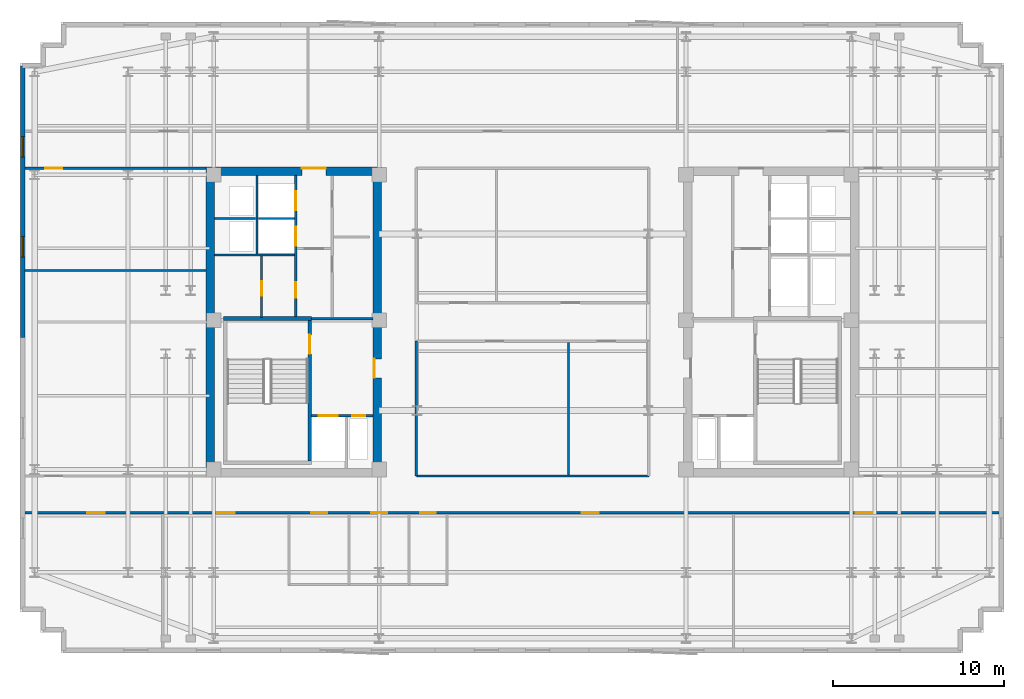
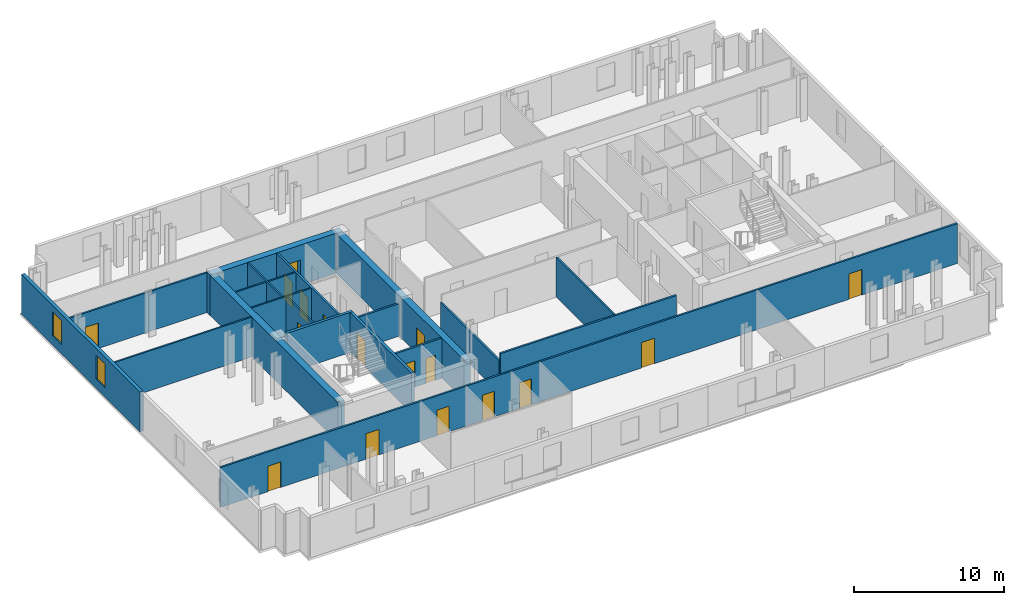
# One storey, part 4 of 9: 20 walls, 17 doors, 2 windows, 19 openings.
"""IFC4 building model written with IfcOpenShell, lengths in metres."""

import ifcopenshell
import ifcopenshell.guid

model = None  # the IFC model being written
_history = None  # IfcOwnerHistory: only IFC2X3 demands one
_inside = {}  # id of a spatial element -> (the spatial element, [elements in it])
_under = {}  # id of a project, library or spatial element -> (it, [spatial elements below it])
_declared = {}  # id of a project -> (the project, [libraries it declares])
_typed = {}  # id of a type object -> (the type object, [elements of that type])
_made_of = {}  # id of a material, layer set ... -> (it, [elements and type objects made of it])


def new_model(schema):
    """Start an empty IFC model of exactly this schema.

    Asked for "IFC4X3", IfcOpenShell would pick the latest addendum, in which some entities
    have other attributes; the version numbers below select the first issue.
    IFC2X3 requires an IfcOwnerHistory on every rooted entity: one is made here for all.
    """
    global model, _history
    if schema == "IFC4X3":
        model = ifcopenshell.file(schema_version=(4, 3, 0, 0))
    else:
        model = ifcopenshell.file(schema=schema)
    _inside.clear()
    _under.clear()
    _declared.clear()
    _typed.clear()
    _made_of.clear()
    _history = None
    if model.schema == "IFC2X3":
        org = make("IfcOrganization", Name="unknown")
        user = make(
            "IfcPersonAndOrganization",
            ThePerson=make("IfcPerson", FamilyName="unknown"),
            TheOrganization=org,
        )
        app = make(
            "IfcApplication",
            ApplicationDeveloper=org,
            Version="unknown",
            ApplicationFullName="unknown",
            ApplicationIdentifier="unknown",
        )
        _history = make(
            "IfcOwnerHistory",
            OwningUser=user,
            OwningApplication=app,
            ChangeAction="ADDED",
            CreationDate=0,
        )
    return model


def make(cls, **values):
    """One entity of the class cls with the attributes given. An attribute that is None is left unset."""
    return model.create_entity(
        cls, **{name: value for name, value in values.items() if value is not None}
    )


def rooted(cls, **values):
    """An entity with a GlobalId (a new one), such as an element, a storey or a relation."""
    return make(cls, GlobalId=ifcopenshell.guid.new(), OwnerHistory=_history, **values)


def si_unit(unit_type, name, prefix=None):
    """IfcSIUnit, for example si_unit("LENGTHUNIT", "METRE", prefix="MILLI")."""
    return make("IfcSIUnit", UnitType=unit_type, Prefix=prefix, Name=name)


def assignment(units):
    """IfcUnitAssignment: the units of a project."""
    return None if units is None else make("IfcUnitAssignment", Units=units)


def point(xyz):
    """IfcCartesianPoint."""
    return None if xyz is None else make("IfcCartesianPoint", Coordinates=xyz)


def direction(xyz):
    """IfcDirection."""
    return None if xyz is None else make("IfcDirection", DirectionRatios=xyz)


def frame(location, z_axis=None, x_axis=None):
    """IfcAxis2Placement3D, a coordinate frame: its origin and axes. An axis left out is left unset."""
    return make(
        "IfcAxis2Placement3D",
        Location=point(location),
        Axis=direction(z_axis),
        RefDirection=direction(x_axis),
    )


def frame_2d(location, x_axis=None):
    """IfcAxis2Placement2D, a coordinate frame in the plane: its origin and x axis."""
    return make(
        "IfcAxis2Placement2D", Location=point(location), RefDirection=direction(x_axis)
    )


def origin():
    """The frame at (0, 0, 0) with its axes left unset."""
    return frame((0.0, 0.0, 0.0))


def place(relative_to, where):
    """IfcLocalPlacement: puts the frame where relative to a parent placement (None: the world)."""
    return make(
        "IfcLocalPlacement", PlacementRelTo=relative_to, RelativePlacement=where
    )


def context(
    kind, dimensions, precision=None, world=None, true_north=None, identifier=None
):
    """IfcGeometricRepresentationContext, for example the 3D "Model" context."""
    return make(
        "IfcGeometricRepresentationContext",
        ContextIdentifier=identifier,
        ContextType=kind,
        CoordinateSpaceDimension=dimensions,
        Precision=precision,
        WorldCoordinateSystem=world,
        TrueNorth=true_north,
    )


def subcontext(parent, identifier, kind, view, scale=None):
    """IfcGeometricRepresentationSubContext, for example "Body" below "Model"."""
    return make(
        "IfcGeometricRepresentationSubContext",
        ContextIdentifier=identifier,
        ContextType=kind,
        ParentContext=parent,
        TargetScale=scale,
        TargetView=view,
    )


def project(units=None, contexts=None):
    """IfcProject with its units and contexts."""
    return rooted(
        "IfcProject",
        Name="project",
        RepresentationContexts=contexts,
        UnitsInContext=assignment(units),
    )


def spatial(cls, under=None, at=None, **own):
    """A site, building, storey or space (cls), placed at a placement, below another one or the project."""
    s = rooted(cls, ObjectPlacement=at, **own)
    if under is not None:
        _under.setdefault(under.id(), (under, []))[1].append(s)
    return s


def profile(cls, at=None, kind="AREA", **sizes):
    """A parametric profile (cls). Its sizes go by their IFC names, for example OverallWidth=200.0."""
    return make(cls, ProfileType=kind, Position=at, **sizes)


def rectangle(**sizes):
    """IfcRectangleProfileDef."""
    return profile("IfcRectangleProfileDef", **sizes)


def extrude(swept, where, along, depth):
    """IfcExtrudedAreaSolid: the profile swept, set in the frame where, extruded along a direction by depth."""
    return make(
        "IfcExtrudedAreaSolid",
        SweptArea=swept,
        Position=where,
        ExtrudedDirection=direction(along),
        Depth=depth,
    )


def shape(context_of_items, identifier, shape_type, items):
    """IfcShapeRepresentation: the items that make up one representation, for example the "Body"."""
    return make(
        "IfcShapeRepresentation",
        ContextOfItems=context_of_items,
        RepresentationIdentifier=identifier,
        RepresentationType=shape_type,
        Items=items,
    )


def material(Name=None, Category=None):
    """IfcMaterial."""
    return make("IfcMaterial", Name=Name, Category=Category)


def layer(
    of_material, thickness, ventilated=None, Name=None, Category=None, Priority=None
):
    """IfcMaterialLayer: one layer of a wall or slab, of a material (None: an air gap)."""
    return make(
        "IfcMaterialLayer",
        Material=of_material,
        LayerThickness=thickness,
        IsVentilated=ventilated,
        Name=Name,
        Category=Category,
        Priority=Priority,
    )


def layer_set(layers, Name=None):
    """IfcMaterialLayerSet."""
    return make("IfcMaterialLayerSet", MaterialLayers=layers, LayerSetName=Name)


def made_of(thing, what):
    """Note that an element or type object is made of a material, layer set ...; save() writes the relation."""
    if what is not None:
        _made_of.setdefault(what.id(), (what, []))[1].append(thing)
    return thing


def type_object(cls, material=None, **own):
    """A type object (cls), such as IfcWallType, which elements share."""
    return made_of(rooted(cls, **own), material)


def element(
    cls,
    number,
    at=None,
    inside=None,
    cuts=None,
    type_object=None,
    material=None,
    context=None,
    identifier="Body",
    shape_type=None,
    held_by="IfcProductDefinitionShape",
    body=None,
    shapes=None,
    **own,
):
    """One element of the class cls, such as IfcWall. Its Tag is "e" and its number.

    at: its placement. inside: the storey or other place that contains it. cuts: it is an
    opening in that element (IfcRelVoidsElement). A single representation is given by context,
    identifier, shape_type and body (its items); several are given by shapes. held_by: the class
    of the entity that holds the representations. save() writes the other relations.
    """
    e = rooted(cls, Tag="e%d" % number, ObjectPlacement=at, **own)
    if body is not None:
        shapes = [shape(context, identifier, shape_type, body)]
    if shapes is not None:
        e.Representation = make(held_by, Representations=shapes)
    if inside is not None:
        _inside.setdefault(inside.id(), (inside, []))[1].append(e)
    if cuts is not None:
        rooted(
            "IfcRelVoidsElement", RelatingBuildingElement=cuts, RelatedOpeningElement=e
        )
    if type_object is not None:
        _typed.setdefault(type_object.id(), (type_object, []))[1].append(e)
    return made_of(e, material)


def fill(opening, filler):
    """IfcRelFillsElement: the door or window that sits in an opening."""
    return rooted(
        "IfcRelFillsElement",
        RelatingOpeningElement=opening,
        RelatedBuildingElement=filler,
    )


def aggregate(whole, parts):
    """IfcRelAggregates: a whole, such as a stair, and the parts it consists of."""
    return rooted("IfcRelAggregates", RelatingObject=whole, RelatedObjects=parts)


def save(model, path):
    """Write the relations noted so far, then the file.

    IfcRelAggregates (storeys below a building ...), IfcRelContainedInSpatialStructure (elements
    in a storey), IfcRelDefinesByType, IfcRelAssociatesMaterial and IfcRelDeclares: one each for
    every whole, place, type object, material and project.
    """
    for whole, parts in _under.values():
        aggregate(whole, parts)
    for where, things in _inside.values():
        rooted(
            "IfcRelContainedInSpatialStructure",
            RelatedElements=things,
            RelatingStructure=where,
        )
    for kind, things in _typed.values():
        rooted("IfcRelDefinesByType", RelatedObjects=things, RelatingType=kind)
    for what, things in _made_of.values():
        rooted("IfcRelAssociatesMaterial", RelatedObjects=things, RelatingMaterial=what)
    for by, libraries in _declared.values():
        rooted("IfcRelDeclares", RelatingContext=by, RelatedDefinitions=libraries)
    model.write(path)


model = new_model("IFC4")

# Units and contexts
model_context = context("Model", 3, precision=1e-05, world=origin(), true_north=direction((0.0, 1.0)))
body_context = subcontext(model_context, "Body", "Model", "MODEL_VIEW")
ifc_project = project(units=[si_unit("LENGTHUNIT", "METRE"), si_unit("AREAUNIT", "SQUARE_METRE"), si_unit("VOLUMEUNIT", "CUBIC_METRE"), si_unit("PLANEANGLEUNIT", "RADIAN"), si_unit("MASSUNIT", "GRAM", prefix="KILO")], contexts=[model_context])

# Site, building, storey
site_placement = place(None, origin())
site = spatial("IfcSite", under=ifc_project, at=site_placement, CompositionType="ELEMENT")
building_placement = place(site_placement, origin())
building = spatial("IfcBuilding", under=site, at=building_placement, Name="Velakula Bourse", CompositionType="ELEMENT")
storey_placement = place(building_placement, frame((0.0, 0.0, 215.39990234375)))
storey = spatial("IfcBuildingStorey", under=building, at=storey_placement, Name="L58", CompositionType="ELEMENT", Elevation=215.39990234375)

# Wall, opening, door
ifc_material_1 = material(Name="Concrete M50 (fck 50 MPa)", Category="concrete")
ifc_layer_1 = layer(ifc_material_1, 0.2099609375, Name="Concrete M50 (fck 50 MPa)", Category="concrete")
ifc_layer_set_1 = layer_set([ifc_layer_1], Name="Concrete M50 (fck 50 MPa)")
wall_type_1 = type_object("IfcWallType", Name="WL-CORE-210", PredefinedType="SHEAR", material=ifc_layer_set_1)
wall_1_placement = place(storey_placement, frame((-12.9951171875, -8.10009765625, 0.0), z_axis=(0.0, 0.0, 1.0), x_axis=(0.0, 1.0, 0.0)))
wall_1 = element("IfcWall", 1, at=wall_1_placement, inside=storey, type_object=wall_type_1, Name="L58 Core W Stairwell Shear Wall IN", PredefinedType="SHEAR", context=body_context, shape_type="SweptSolid", body=[
    extrude(rectangle(XDim=8.2001953125, YDim=0.2099609375, at=frame_2d((4.10009765625, 0.0))), origin(), (0.0, 0.0, 1.0), 3.27001953125),
])
opening_1_placement = place(wall_1_placement, frame((6.25, 0.0, 0.0)))
opening_1 = element("IfcOpeningElement", 2, at=opening_1_placement, cuts=wall_1, Name="Opening D-STW1", PredefinedType="OPENING", context=body_context, shape_type="SweptSolid", body=[
    extrude(rectangle(XDim=1.10009765625, YDim=2.14990234375, at=frame_2d((0.550048828125, 1.074951171875))), frame((0.0, 0.114990234375, 0.0), z_axis=(0.0, -1.0, 0.0), x_axis=(1.0, 0.0, 0.0)), (0.0, 0.0, 1.0), 0.22998046875),
])
ifc_material_2 = material(Name="Galvanised painted hollow steel fire door", Category="steel")
door_type_1 = type_object("IfcDoorType", Name="DR-FD120-1100x2150", OperationType="NOTDEFINED", PredefinedType="DOOR", material=ifc_material_2)
door_1_placement = place(opening_1_placement, origin())
door_1 = element("IfcDoor", 3, at=door_1_placement, inside=storey, type_object=door_type_1, Name="L58 Stair ST-W1 Fire Door", OperationType="SINGLE_SWING_LEFT", OverallHeight=2.14990234375, OverallWidth=1.10009765625, PredefinedType="DOOR", context=body_context, shape_type="SweptSolid", body=[
    extrude(rectangle(XDim=1.10009765625, YDim=2.14990234375, at=frame_2d((0.550048828125, 1.074951171875))), frame((0.0, 0.02490234375, 0.0), z_axis=(0.0, -1.0, 0.0), x_axis=(1.0, 0.0, 0.0)), (0.0, 0.0, 1.0), 0.050048828125),
])
fill(opening_1, door_1)

# Wall
wall_2_placement = place(storey_placement, frame((-12.889892578125, 0.205078125, 0.0), z_axis=(0.0, 0.0, 1.0), x_axis=(-1.0, 0.0, 0.0)))
element("IfcWall", 4, at=wall_2_placement, inside=storey, type_object=wall_type_1, Name="L58 Core W Stairwell Shear Wall N", PredefinedType="SHEAR", context=body_context, shape_type="SweptSolid", body=[
    extrude(rectangle(XDim=5.14013671875, YDim=0.2099609375, at=frame_2d((2.570068359375, 0.0))), origin(), (0.0, 0.0, 1.0), 3.27001953125),
])

# Wall, opening, door
ifc_layer_2 = layer(ifc_material_1, 0.5, Name="Concrete M50 (fck 50 MPa)", Category="concrete")
ifc_layer_set_2 = layer_set([ifc_layer_2], Name="Concrete M50 (fck 50 MPa)")
wall_type_2 = type_object("IfcWallType", Name="WL-CORE-500", PredefinedType="SHEAR", material=ifc_layer_set_2)
wall_3_placement = place(storey_placement, frame((-19.050048828125, 8.800048828125, 0.0), z_axis=(0.0, 0.0, 1.0), x_axis=(1.0, 0.0, 0.0)))
wall_3 = element("IfcWall", 5, at=wall_3_placement, inside=storey, type_object=wall_type_2, Name="L58 Core W Shear Wall N", PredefinedType="SHEAR", context=body_context, shape_type="SweptSolid", body=[
    extrude(rectangle(XDim=10.25, YDim=0.5, at=frame_2d((5.125, 0.0))), origin(), (0.0, 0.0, 1.0), 3.27001953125),
])
opening_2_placement = place(wall_3_placement, frame((5.60009765625, 0.0, 0.0)))
opening_2 = element("IfcOpeningElement", 6, at=opening_2_placement, cuts=wall_3, Name="Opening D-LLW", PredefinedType="OPENING", context=body_context, shape_type="SweptSolid", body=[
    extrude(rectangle(XDim=1.39990234375, YDim=2.050048828125, at=frame_2d((0.699951171875, 1.02490234375))), frame((0.0, 0.260009765625, 0.0), z_axis=(0.0, -1.0, 0.0), x_axis=(1.0, 0.0, 0.0)), (0.0, 0.0, 1.0), 0.52001953125),
])
ifc_material_3 = material(Name="Fire-rated hardwood flush architectural door", Category="wood")
door_type_2 = type_object("IfcDoorType", Name="DR-DBL-FD60-1400", OperationType="DOUBLE_DOOR_SINGLE_SWING", PredefinedType="DOOR", material=ifc_material_3)
door_2_placement = place(opening_2_placement, origin())
door_2 = element("IfcDoor", 7, at=door_2_placement, inside=storey, type_object=door_type_2, Name="L58 Core W Lift Lobby Corridor Double Door", OperationType="DOUBLE_DOOR_SINGLE_SWING", OverallHeight=2.050048828125, OverallWidth=1.39990234375, PredefinedType="DOOR", context=body_context, shape_type="SweptSolid", body=[
    extrude(rectangle(XDim=1.39990234375, YDim=2.050048828125, at=frame_2d((0.699951171875, 1.02490234375))), frame((0.0, 0.19482421875, 0.0), z_axis=(0.0, -1.0, 0.0), x_axis=(1.0, 0.0, 0.0)), (0.0, 0.0, 1.0), 0.050048828125),
])
fill(opening_2, door_2)

# Wall
wall_4_placement = place(storey_placement, frame((-18.800048828125, -8.550048828125, 0.0), z_axis=(0.0, 0.0, 1.0), x_axis=(0.0, 1.0, 0.0)))
element("IfcWall", 8, at=wall_4_placement, inside=storey, type_object=wall_type_2, Name="L58 Core W Shear Wall W", PredefinedType="SHEAR", context=body_context, shape_type="SweptSolid", body=[
    extrude(rectangle(XDim=17.10009765625, YDim=0.5, at=frame_2d((8.550048828125, 0.0))), origin(), (0.0, 0.0, 1.0), 3.27001953125),
])

# Wall, opening, door
wall_5_placement = place(storey_placement, frame((-9.050048828125, -8.550048828125, 0.0), z_axis=(0.0, 0.0, 1.0), x_axis=(0.0, 1.0, 0.0)))
wall_5 = element("IfcWall", 9, at=wall_5_placement, inside=storey, type_object=wall_type_2, Name="L58 Core W Shear Wall E", PredefinedType="SHEAR", context=body_context, shape_type="SweptSolid", body=[
    extrude(rectangle(XDim=17.10009765625, YDim=0.5, at=frame_2d((8.550048828125, 0.0))), origin(), (0.0, 0.0, 1.0), 3.27001953125),
])
opening_3_placement = place(wall_5_placement, frame((5.300048828125, 0.0, 0.0)))
opening_3 = element("IfcOpeningElement", 10, at=opening_3_placement, cuts=wall_5, Name="Opening D-FLW", PredefinedType="OPENING", context=body_context, shape_type="SweptSolid", body=[
    extrude(rectangle(XDim=1.10009765625, YDim=2.080078125, at=frame_2d((0.550048828125, 1.0400390625))), frame((0.0, 0.260009765625, 0.0), z_axis=(0.0, -1.0, 0.0), x_axis=(1.0, 0.0, 0.0)), (0.0, 0.0, 1.0), 0.52001953125),
])
door_type_3 = type_object("IfcDoorType", Name="DR-FD120-1100", OperationType="NOTDEFINED", PredefinedType="DOOR", material=ifc_material_2)
door_3_placement = place(opening_3_placement, origin())
door_3 = element("IfcDoor", 11, at=door_3_placement, inside=storey, type_object=door_type_3, Name="L58 Firefighting Lobby W Corridor Fire Door", OperationType="SINGLE_SWING_LEFT", OverallHeight=2.080078125, OverallWidth=1.10009765625, PredefinedType="DOOR", context=body_context, shape_type="SweptSolid", body=[
    extrude(rectangle(XDim=1.10009765625, YDim=2.080078125, at=frame_2d((0.550048828125, 1.0400390625))), frame((0.0, 0.205078125, 0.0), z_axis=(0.0, -1.0, 0.0), x_axis=(1.0, 0.0, 0.0)), (0.0, 0.0, 1.0), 0.050048828125),
])
fill(opening_3, door_3)

# Wall, openings, windows
ifc_material_4 = material(Name="Buff kilned clay facing brick masonry", Category="masonry")
ifc_layer_3 = layer(ifc_material_4, 0.260009765625, Name="Buff kilned clay facing brick masonry", Category="masonry")
ifc_layer_set_3 = layer_set([ifc_layer_3], Name="Buff kilned clay facing brick masonry")
wall_type_3 = type_object("IfcWallType", Name="WL-EXT-BRK-260", PredefinedType="STANDARD", material=ifc_layer_set_3)
wall_6_placement = place(storey_placement, frame((-29.75, -0.89990234375, 0.0), z_axis=(0.0, 0.0, 1.0), x_axis=(0.0, 1.0, 0.0)))
wall_6 = element("IfcWall", 12, at=wall_6_placement, inside=storey, type_object=wall_type_3, Name="L58 W Brick End Wall W2", PredefinedType="STANDARD", context=body_context, shape_type="SweptSolid", body=[
    extrude(rectangle(XDim=15.849853515625, YDim=0.260009765625, at=frame_2d((7.9248046875, 0.0))), origin(), (0.0, 0.0, 1.0), 3.25),
])
opening_4_placement = place(wall_6_placement, frame((4.683349609375, 0.0, 0.760009765625)))
opening_4 = element("IfcOpeningElement", 13, at=opening_4_placement, cuts=wall_6, Name="Opening W-04", PredefinedType="OPENING", context=body_context, shape_type="SweptSolid", body=[
    extrude(rectangle(XDim=1.199951171875, YDim=1.949951171875, at=frame_2d((0.60009765625, 0.97509765625))), frame((0.0, 0.139892578125, 0.0), z_axis=(0.0, -1.0, 0.0), x_axis=(1.0, 0.0, 0.0)), (0.0, 0.0, 1.0), 0.280029296875),
])
opening_5_placement = place(wall_6_placement, frame((10.5166015625, 0.0, 0.760009765625)))
opening_5 = element("IfcOpeningElement", 14, at=opening_5_placement, cuts=wall_6, Name="Opening W-04", PredefinedType="OPENING", context=body_context, shape_type="SweptSolid", body=[
    extrude(rectangle(XDim=1.199951171875, YDim=1.949951171875, at=frame_2d((0.60009765625, 0.97509765625))), frame((0.0, 0.139892578125, 0.0), z_axis=(0.0, -1.0, 0.0), x_axis=(1.0, 0.0, 0.0)), (0.0, 0.0, 1.0), 0.280029296875),
])
ifc_material_5 = material(Name="Double-glazed solar-control Low-E glass", Category="glass")
window_type = type_object("IfcWindowType", Name="WIN-TWR-1200x2100", PartitioningType="SINGLE_PANEL", PredefinedType="WINDOW", material=ifc_material_5)
window_1_placement = place(opening_4_placement, origin())
window_1 = element("IfcWindow", 15, at=window_1_placement, inside=storey, type_object=window_type, Name="L58 Deep-Set Recessed Window 1", OverallHeight=1.949951171875, OverallWidth=1.199951171875, PartitioningType="SINGLE_PANEL", PredefinedType="WINDOW", context=body_context, shape_type="SweptSolid", body=[
    extrude(rectangle(XDim=1.199951171875, YDim=1.949951171875, at=frame_2d((0.60009765625, 0.97509765625))), frame((0.0, 0.030029296875, 0.0), z_axis=(0.0, -1.0, 0.0), x_axis=(1.0, 0.0, 0.0)), (0.0, 0.0, 1.0), 0.06005859375),
])
fill(opening_4, window_1)
window_2_placement = place(opening_5_placement, origin())
window_2 = element("IfcWindow", 16, at=window_2_placement, inside=storey, type_object=window_type, Name="L58 Deep-Set Recessed Window 2", OverallHeight=1.949951171875, OverallWidth=1.199951171875, PartitioningType="SINGLE_PANEL", PredefinedType="WINDOW", context=body_context, shape_type="SweptSolid", body=[
    extrude(rectangle(XDim=1.199951171875, YDim=1.949951171875, at=frame_2d((0.60009765625, 0.97509765625))), frame((0.0, 0.030029296875, 0.0), z_axis=(0.0, -1.0, 0.0), x_axis=(1.0, 0.0, 0.0)), (0.0, 0.0, 1.0), 0.06005859375),
])
fill(opening_5, window_2)

# Walls
ifc_material_6 = material(Name="Fire-rated double-layer gypsum drywall partition", Category="gypsum")
ifc_layer_4 = layer(ifc_material_6, 0.1201171875, Name="Fire-rated double-layer gypsum drywall partition", Category="gypsum")
ifc_layer_set_4 = layer_set([ifc_layer_4], Name="Fire-rated double-layer gypsum drywall partition")
wall_type_4 = type_object("IfcWallType", Name="WL-PART-120", PredefinedType="STANDARD", material=ifc_layer_set_4)
wall_7_placement = place(storey_placement, frame((-18.550048828125, 3.919921875, 0.0), z_axis=(0.0, 0.0, 1.0), x_axis=(1.0, 0.0, 0.0)))
element("IfcWall", 17, at=wall_7_placement, inside=storey, type_object=wall_type_4, Name="L58 Interior Partition WL-CRW-L58-HI-S", PredefinedType="STANDARD", context=body_context, shape_type="SweptSolid", body=[
    extrude(rectangle(XDim=4.650146484375, YDim=0.1201171875, at=frame_2d((2.3251953125, 0.0))), origin(), (0.0, 0.0, 1.0), 3.25),
])
wall_8_placement = place(storey_placement, frame((-18.550048828125, 6.030029296875, 0.0), z_axis=(0.0, 0.0, 1.0), x_axis=(1.0, 0.0, 0.0)))
element("IfcWall", 18, at=wall_8_placement, inside=storey, type_object=wall_type_4, Name="L58 Interior Partition WL-CRW-L58-RIS-MID", PredefinedType="STANDARD", context=body_context, shape_type="SweptSolid", body=[
    extrude(rectangle(XDim=2.400146484375, YDim=0.1201171875, at=frame_2d((1.2001953125, 0.0))), origin(), (0.0, 0.0, 1.0), 3.25),
])
wall_9_placement = place(storey_placement, frame((-16.074951171875, 3.97998046875, 0.0), z_axis=(0.0, 0.0, 1.0), x_axis=(0.0, 1.0, 0.0)))
element("IfcWall", 19, at=wall_9_placement, inside=storey, type_object=wall_type_4, Name="L58 Interior Partition WL-CRW-L58-RIS-F", PredefinedType="STANDARD", context=body_context, shape_type="SweptSolid", body=[
    extrude(rectangle(XDim=4.570068359375, YDim=0.1201171875, at=frame_2d((2.28515625, 0.0))), origin(), (0.0, 0.0, 1.0), 3.25),
])
wall_10_placement = place(storey_placement, frame((-16.0, 6.030029296875, 0.0), z_axis=(0.0, 0.0, 1.0), x_axis=(1.0, 0.0, 0.0)))
element("IfcWall", 20, at=wall_10_placement, inside=storey, type_object=wall_type_4, Name="L58 Interior Partition WL-CRW-L58-HI-DIV", PredefinedType="STANDARD", context=body_context, shape_type="SweptSolid", body=[
    extrude(rectangle(XDim=2.10009765625, YDim=0.1201171875, at=frame_2d((1.050048828125, 0.0))), origin(), (0.0, 0.0, 1.0), 3.25),
])

# Wall, opening, door
wall_11_placement = place(storey_placement, frame((-15.800048828125, 0.27001953125, 0.0), z_axis=(0.0, 0.0, 1.0), x_axis=(0.0, 1.0, 0.0)))
wall_11 = element("IfcWall", 21, at=wall_11_placement, inside=storey, type_object=wall_type_4, Name="L58 Interior Partition WL-CRW-L58-K2", PredefinedType="STANDARD", context=body_context, shape_type="SweptSolid", body=[
    extrude(rectangle(XDim=3.590087890625, YDim=0.1201171875, at=frame_2d((1.794921875, 0.0))), origin(), (0.0, 0.0, 1.0), 3.25),
])
opening_6_placement = place(wall_11_placement, frame((1.25, 0.0, 0.0)))
opening_6 = element("IfcOpeningElement", 22, at=opening_6_placement, cuts=wall_11, Name="Opening D-CE1", PredefinedType="OPENING", context=body_context, shape_type="SweptSolid", body=[
    extrude(rectangle(XDim=0.85009765625, YDim=2.050048828125, at=frame_2d((0.425048828125, 1.02490234375))), frame((0.0, 0.070068359375, 0.0), z_axis=(0.0, -1.0, 0.0), x_axis=(1.0, 0.0, 0.0)), (0.0, 0.0, 1.0), 0.14013671875),
])
door_type_4 = type_object("IfcDoorType", Name="DR-INT-850", OperationType="NOTDEFINED", PredefinedType="DOOR", material=ifc_material_3)
door_4_placement = place(opening_6_placement, origin())
door_4 = element("IfcDoor", 23, at=door_4_placement, inside=storey, type_object=door_type_4, Name="L58 Core Equipment Store Door", OperationType="SINGLE_SWING_RIGHT", OverallHeight=2.050048828125, OverallWidth=0.85009765625, PredefinedType="DOOR", context=body_context, shape_type="SweptSolid", body=[
    extrude(rectangle(XDim=0.85009765625, YDim=2.050048828125, at=frame_2d((0.425048828125, 1.02490234375))), frame((0.0, 0.02490234375, 0.0), z_axis=(0.0, -1.0, 0.0), x_axis=(1.0, 0.0, 0.0)), (0.0, 0.0, 1.0), 0.050048828125),
])
fill(opening_6, door_4)

# Wall
wall_12_placement = place(storey_placement, frame((-29.6201171875, 3.0, 0.0), z_axis=(0.0, 0.0, 1.0), x_axis=(1.0, 0.0, 0.0)))
element("IfcWall", 24, at=wall_12_placement, inside=storey, type_object=wall_type_4, Name="L58 Interior Partition WL-INT-L58-W-H", PredefinedType="STANDARD", context=body_context, shape_type="SweptSolid", body=[
    extrude(rectangle(XDim=10.570068359375, YDim=0.1201171875, at=frame_2d((5.28515625, 0.0))), origin(), (0.0, 0.0, 1.0), 3.25),
])

# Wall, openings, doors
ifc_layer_5 = layer(ifc_material_6, 0.139892578125, Name="Fire-rated double-layer gypsum drywall partition", Category="gypsum")
ifc_layer_set_5 = layer_set([ifc_layer_5], Name="Fire-rated double-layer gypsum drywall partition")
wall_type_5 = type_object("IfcWallType", Name="WL-PART-140", PredefinedType="STANDARD", material=ifc_layer_set_5)
wall_13_placement = place(storey_placement, frame((-29.6201171875, -11.1201171875, 0.0), z_axis=(0.0, 0.0, 1.0), x_axis=(1.0, 0.0, 0.0)))
wall_13 = element("IfcWall", 25, at=wall_13_placement, inside=storey, type_object=wall_type_5, Name="L58 Interior Partition WL-INT-L58-S-CORR", PredefinedType="STANDARD", context=body_context, shape_type="SweptSolid", body=[
    extrude(rectangle(XDim=56.840087890625, YDim=0.139892578125, at=frame_2d((28.419921875, 0.0))), origin(), (0.0, 0.0, 1.0), 3.25),
])
opening_7_placement = place(wall_13_placement, frame((16.7099609375, 0.0, 0.0)))
opening_7 = element("IfcOpeningElement", 26, at=opening_7_placement, cuts=wall_13, Name="Opening D-WT1", PredefinedType="OPENING", context=body_context, shape_type="SweptSolid", body=[
    extrude(rectangle(XDim=0.919921875, YDim=2.080078125, at=frame_2d((0.4599609375, 1.0400390625))), frame((0.0, 0.079833984375, 0.0), z_axis=(0.0, -1.0, 0.0), x_axis=(1.0, 0.0, 0.0)), (0.0, 0.0, 1.0), 0.159912109375),
])
opening_8_placement = place(wall_13_placement, frame((20.2099609375, 0.0, 0.0)))
opening_8 = element("IfcOpeningElement", 27, at=opening_8_placement, cuts=wall_13, Name="Opening D-WT1", PredefinedType="OPENING", context=body_context, shape_type="SweptSolid", body=[
    extrude(rectangle(XDim=0.919921875, YDim=2.080078125, at=frame_2d((0.4599609375, 1.0400390625))), frame((0.0, 0.079833984375, 0.0), z_axis=(0.0, -1.0, 0.0), x_axis=(1.0, 0.0, 0.0)), (0.0, 0.0, 1.0), 0.159912109375),
])
opening_9_placement = place(wall_13_placement, frame((23.06005859375, 0.0, 0.0)))
opening_9 = element("IfcOpeningElement", 28, at=opening_9_placement, cuts=wall_13, Name="Opening D-WC1", PredefinedType="OPENING", context=body_context, shape_type="SweptSolid", body=[
    extrude(rectangle(XDim=0.919921875, YDim=2.080078125, at=frame_2d((0.4599609375, 1.0400390625))), frame((0.0, 0.079833984375, 0.0), z_axis=(0.0, -1.0, 0.0), x_axis=(1.0, 0.0, 0.0)), (0.0, 0.0, 1.0), 0.159912109375),
])
opening_10_placement = place(wall_13_placement, frame((3.6494140625, 0.0, 0.0)))
opening_10 = element("IfcOpeningElement", 29, at=opening_10_placement, cuts=wall_13, Name="Opening D-OF1", PredefinedType="OPENING", context=body_context, shape_type="SweptSolid", body=[
    extrude(rectangle(XDim=1.0, YDim=2.080078125, at=frame_2d((0.5, 1.0400390625))), frame((0.0, 0.079833984375, 0.0), z_axis=(0.0, -1.0, 0.0), x_axis=(1.0, 0.0, 0.0)), (0.0, 0.0, 1.0), 0.159912109375),
])
opening_11_placement = place(wall_13_placement, frame((11.2333984375, 0.0, 0.0)))
opening_11 = element("IfcOpeningElement", 30, at=opening_11_placement, cuts=wall_13, Name="Opening D-OF1", PredefinedType="OPENING", context=body_context, shape_type="SweptSolid", body=[
    extrude(rectangle(XDim=1.0, YDim=2.080078125, at=frame_2d((0.5, 1.0400390625))), frame((0.0, 0.079833984375, 0.0), z_axis=(0.0, -1.0, 0.0), x_axis=(1.0, 0.0, 0.0)), (0.0, 0.0, 1.0), 0.159912109375),
])
opening_12_placement = place(wall_13_placement, frame((32.4814453125, 0.0, 0.0)))
opening_12 = element("IfcOpeningElement", 31, at=opening_12_placement, cuts=wall_13, Name="Opening D-OF1", PredefinedType="OPENING", context=body_context, shape_type="SweptSolid", body=[
    extrude(rectangle(XDim=1.0, YDim=2.080078125, at=frame_2d((0.5, 1.0400390625))), frame((0.0, 0.079833984375, 0.0), z_axis=(0.0, -1.0, 0.0), x_axis=(1.0, 0.0, 0.0)), (0.0, 0.0, 1.0), 0.159912109375),
])
opening_13_placement = place(wall_13_placement, frame((48.465576171875, 0.0, 0.0)))
opening_13 = element("IfcOpeningElement", 32, at=opening_13_placement, cuts=wall_13, Name="Opening D-OF1", PredefinedType="OPENING", context=body_context, shape_type="SweptSolid", body=[
    extrude(rectangle(XDim=1.0, YDim=2.080078125, at=frame_2d((0.5, 1.0400390625))), frame((0.0, 0.079833984375, 0.0), z_axis=(0.0, -1.0, 0.0), x_axis=(1.0, 0.0, 0.0)), (0.0, 0.0, 1.0), 0.159912109375),
])
door_type_5 = type_object("IfcDoorType", Name="DR-OFF-1000", OperationType="NOTDEFINED", PredefinedType="DOOR", material=ifc_material_3)
door_5_placement = place(opening_10_placement, origin())
door_5 = element("IfcDoor", 33, at=door_5_placement, inside=storey, type_object=door_type_5, Name="L58 Members Dining Lounge Door", OperationType="SINGLE_SWING_LEFT", OverallHeight=2.080078125, OverallWidth=1.0, PredefinedType="DOOR", context=body_context, shape_type="SweptSolid", body=[
    extrude(rectangle(XDim=1.0, YDim=2.080078125, at=frame_2d((0.5, 1.0400390625))), frame((0.0, 0.02490234375, 0.0), z_axis=(0.0, -1.0, 0.0), x_axis=(1.0, 0.0, 0.0)), (0.0, 0.0, 1.0), 0.050048828125),
])
fill(opening_10, door_5)
door_6_placement = place(opening_11_placement, origin())
door_6 = element("IfcDoor", 34, at=door_6_placement, inside=storey, type_object=door_type_5, Name="L58 Primary Dealer Office Door", OperationType="SINGLE_SWING_RIGHT", OverallHeight=2.080078125, OverallWidth=1.0, PredefinedType="DOOR", context=body_context, shape_type="SweptSolid", body=[
    extrude(rectangle(XDim=1.0, YDim=2.080078125, at=frame_2d((0.5, 1.0400390625))), frame((0.0, 0.02490234375, 0.0), z_axis=(0.0, -1.0, 0.0), x_axis=(1.0, 0.0, 0.0)), (0.0, 0.0, 1.0), 0.050048828125),
])
fill(opening_11, door_6)
door_7_placement = place(opening_12_placement, origin())
door_7 = element("IfcDoor", 35, at=door_7_placement, inside=storey, type_object=door_type_5, Name="L58 Disciplinary Hearing Room Door", OperationType="SINGLE_SWING_LEFT", OverallHeight=2.080078125, OverallWidth=1.0, PredefinedType="DOOR", context=body_context, shape_type="SweptSolid", body=[
    extrude(rectangle(XDim=1.0, YDim=2.080078125, at=frame_2d((0.5, 1.0400390625))), frame((0.0, 0.02490234375, 0.0), z_axis=(0.0, -1.0, 0.0), x_axis=(1.0, 0.0, 0.0)), (0.0, 0.0, 1.0), 0.050048828125),
])
fill(opening_12, door_7)
door_8_placement = place(opening_13_placement, origin())
door_8 = element("IfcDoor", 36, at=door_8_placement, inside=storey, type_object=door_type_5, Name="L58 Traders Pantry Door", OperationType="SINGLE_SWING_RIGHT", OverallHeight=2.080078125, OverallWidth=1.0, PredefinedType="DOOR", context=body_context, shape_type="SweptSolid", body=[
    extrude(rectangle(XDim=1.0, YDim=2.080078125, at=frame_2d((0.5, 1.0400390625))), frame((0.0, 0.02490234375, 0.0), z_axis=(0.0, -1.0, 0.0), x_axis=(1.0, 0.0, 0.0)), (0.0, 0.0, 1.0), 0.050048828125),
])
fill(opening_13, door_8)
door_type_6 = type_object("IfcDoorType", Name="DR-WC-950", OperationType="NOTDEFINED", PredefinedType="DOOR", material=ifc_material_3)
door_9_placement = place(opening_7_placement, origin())
door_9 = element("IfcDoor", 37, at=door_9_placement, inside=storey, type_object=door_type_6, Name="L58 Male Staff Toilet Door", OperationType="SINGLE_SWING_RIGHT", OverallHeight=2.080078125, OverallWidth=0.919921875, PredefinedType="DOOR", context=body_context, shape_type="SweptSolid", body=[
    extrude(rectangle(XDim=0.919921875, YDim=2.080078125, at=frame_2d((0.4599609375, 1.0400390625))), frame((0.0, 0.02490234375, 0.0), z_axis=(0.0, -1.0, 0.0), x_axis=(1.0, 0.0, 0.0)), (0.0, 0.0, 1.0), 0.050048828125),
])
fill(opening_7, door_9)
door_10_placement = place(opening_8_placement, origin())
door_10 = element("IfcDoor", 38, at=door_10_placement, inside=storey, type_object=door_type_6, Name="L58 Female Staff Toilet Door", OperationType="SINGLE_SWING_LEFT", OverallHeight=2.080078125, OverallWidth=0.919921875, PredefinedType="DOOR", context=body_context, shape_type="SweptSolid", body=[
    extrude(rectangle(XDim=0.919921875, YDim=2.080078125, at=frame_2d((0.4599609375, 1.0400390625))), frame((0.0, 0.02490234375, 0.0), z_axis=(0.0, -1.0, 0.0), x_axis=(1.0, 0.0, 0.0)), (0.0, 0.0, 1.0), 0.050048828125),
])
fill(opening_8, door_10)
door_11_placement = place(opening_9_placement, origin())
door_11 = element("IfcDoor", 39, at=door_11_placement, inside=storey, type_object=door_type_6, Name="L58 Accessible WC Door", OperationType="SINGLE_SWING_RIGHT", OverallHeight=2.080078125, OverallWidth=0.919921875, PredefinedType="DOOR", context=body_context, shape_type="SweptSolid", body=[
    extrude(rectangle(XDim=0.919921875, YDim=2.080078125, at=frame_2d((0.4599609375, 1.0400390625))), frame((0.0, 0.02490234375, 0.0), z_axis=(0.0, -1.0, 0.0), x_axis=(1.0, 0.0, 0.0)), (0.0, 0.0, 1.0), 0.050048828125),
])
fill(opening_9, door_11)

# Wall, opening, door
wall_14_placement = place(storey_placement, frame((-29.6201171875, 8.97998046875, 0.0), z_axis=(0.0, 0.0, 1.0), x_axis=(1.0, 0.0, 0.0)))
wall_14 = element("IfcWall", 40, at=wall_14_placement, inside=storey, type_object=wall_type_5, Name="L58 Interior Partition WL-INT-L58-W-NC", PredefinedType="STANDARD", context=body_context, shape_type="SweptSolid", body=[
    extrude(rectangle(XDim=10.570068359375, YDim=0.139892578125, at=frame_2d((5.28515625, 0.0))), origin(), (0.0, 0.0, 1.0), 3.25),
])
opening_14_placement = place(wall_14_placement, frame((1.191162109375, 0.0, 0.0)))
opening_14 = element("IfcOpeningElement", 41, at=opening_14_placement, cuts=wall_14, Name="Opening D-OF1", PredefinedType="OPENING", context=body_context, shape_type="SweptSolid", body=[
    extrude(rectangle(XDim=1.0, YDim=2.080078125, at=frame_2d((0.5, 1.0400390625))), frame((0.0, 0.079833984375, 0.0), z_axis=(0.0, -1.0, 0.0), x_axis=(1.0, 0.0, 0.0)), (0.0, 0.0, 1.0), 0.159912109375),
])
door_12_placement = place(opening_14_placement, origin())
door_12 = element("IfcDoor", 42, at=door_12_placement, inside=storey, type_object=door_type_5, Name="L58 Treasury Operations Office Door", OperationType="SINGLE_SWING_LEFT", OverallHeight=2.080078125, OverallWidth=1.0, PredefinedType="DOOR", context=body_context, shape_type="SweptSolid", body=[
    extrude(rectangle(XDim=1.0, YDim=2.080078125, at=frame_2d((0.5, 1.0400390625))), frame((0.0, 0.02490234375, 0.0), z_axis=(0.0, -1.0, 0.0), x_axis=(1.0, 0.0, 0.0)), (0.0, 0.0, 1.0), 0.050048828125),
])
fill(opening_14, door_12)

# Walls
wall_15_placement = place(storey_placement, frame((-6.780029296875, -8.97998046875, 0.0), z_axis=(0.0, 0.0, 1.0), x_axis=(1.0, 0.0, 0.0)))
element("IfcWall", 43, at=wall_15_placement, inside=storey, type_object=wall_type_5, Name="L58 Interior Partition WL-INT-L58-MS-OUT", PredefinedType="STANDARD", context=body_context, shape_type="SweptSolid", body=[
    extrude(rectangle(XDim=13.56005859375, YDim=0.139892578125, at=frame_2d((6.780029296875, 0.0))), origin(), (0.0, 0.0, 1.0), 3.25),
])
wall_16_placement = place(storey_placement, frame((-6.780029296875, -8.97998046875, 0.0), z_axis=(0.0, 0.0, 1.0), x_axis=(0.0, 1.0, 0.0)))
element("IfcWall", 44, at=wall_16_placement, inside=storey, type_object=wall_type_5, Name="L58 Interior Partition WL-INT-L58-MS-W", PredefinedType="STANDARD", context=body_context, shape_type="SweptSolid", body=[
    extrude(rectangle(XDim=7.85986328125, YDim=0.139892578125, at=frame_2d((3.929931640625, 0.0))), origin(), (0.0, 0.0, 1.0), 2.64501953125),
])
wall_17_placement = place(storey_placement, frame((2.10009765625, -8.909912109375, 0.0), z_axis=(0.0, 0.0, 1.0), x_axis=(0.0, 1.0, 0.0)))
element("IfcWall", 45, at=wall_17_placement, inside=storey, type_object=wall_type_5, Name="L58 Interior Partition WL-INT-L58-MS-V1", PredefinedType="STANDARD", context=body_context, shape_type="SweptSolid", body=[
    extrude(rectangle(XDim=7.719970703125, YDim=0.1201171875, at=frame_2d((3.85986328125, 0.0))), origin(), (0.0, 0.0, 1.0), 3.25),
])

# Wall, openings, doors
ifc_material_7 = material(Name="Autoclaved aerated concrete blockwork masonry", Category="masonry")
ifc_layer_6 = layer(ifc_material_7, 0.14990234375, Name="Autoclaved aerated concrete blockwork masonry", Category="masonry")
ifc_layer_set_6 = layer_set([ifc_layer_6], Name="Autoclaved aerated concrete blockwork masonry")
wall_type_6 = type_object("IfcWallType", Name="WL-SHAFT-150", PredefinedType="STANDARD", material=ifc_layer_set_6)
wall_18_placement = place(storey_placement, frame((-12.89501953125, -5.47509765625, 0.0), z_axis=(0.0, 0.0, 1.0), x_axis=(1.0, 0.0, 0.0)))
wall_18 = element("IfcWall", 46, at=wall_18_placement, inside=storey, type_object=wall_type_6, Name="L58 Interior Partition WL-CRW-L58-FFL-N", PredefinedType="STANDARD", context=body_context, shape_type="SweptSolid", body=[
    extrude(rectangle(XDim=3.594970703125, YDim=0.14990234375, at=frame_2d((1.79736328125, 0.0))), origin(), (0.0, 0.0, 1.0), 3.25),
])
opening_15_placement = place(wall_18_placement, frame((0.419921875, 0.0, 0.0)))
opening_15 = element("IfcOpeningElement", 47, at=opening_15_placement, cuts=wall_18, Name="Opening LD-FFL-1", PredefinedType="OPENING", context=body_context, shape_type="SweptSolid", body=[
    extrude(rectangle(XDim=1.10009765625, YDim=2.14990234375, at=frame_2d((0.550048828125, 1.074951171875))), frame((0.0, 0.0849609375, 0.0), z_axis=(0.0, -1.0, 0.0), x_axis=(1.0, 0.0, 0.0)), (0.0, 0.0, 1.0), 0.169921875),
])
opening_16_placement = place(wall_18_placement, frame((2.3701171875, 0.0, 0.0)))
opening_16 = element("IfcOpeningElement", 48, at=opening_16_placement, cuts=wall_18, Name="Opening D-RS1", PredefinedType="OPENING", context=body_context, shape_type="SweptSolid", body=[
    extrude(rectangle(XDim=0.75, YDim=2.050048828125, at=frame_2d((0.375, 1.02490234375))), frame((0.0, 0.0849609375, 0.0), z_axis=(0.0, -1.0, 0.0), x_axis=(1.0, 0.0, 0.0)), (0.0, 0.0, 1.0), 0.169921875),
])
door_type_7 = type_object("IfcDoorType", Name="DR-RISER-800", OperationType="NOTDEFINED", PredefinedType="DOOR", material=ifc_material_2)
door_13_placement = place(opening_16_placement, origin())
door_13 = element("IfcDoor", 49, at=door_13_placement, inside=storey, type_object=door_type_7, Name="L58 Fire Riser Access Door", OperationType="SINGLE_SWING_RIGHT", OverallHeight=2.050048828125, OverallWidth=0.75, PredefinedType="DOOR", context=body_context, shape_type="SweptSolid", body=[
    extrude(rectangle(XDim=0.75, YDim=2.050048828125, at=frame_2d((0.375, 1.02490234375))), frame((0.0, 0.02490234375, 0.0), z_axis=(0.0, -1.0, 0.0), x_axis=(1.0, 0.0, 0.0)), (0.0, 0.0, 1.0), 0.050048828125),
])
fill(opening_16, door_13)
ifc_material_8 = material(Name="Brushed grade 316 stainless steel", Category="steel")
door_type_8 = type_object("IfcDoorType", Name="DR-SLIDE-FFL-1100", OperationType="DOUBLE_DOOR_SLIDING", PredefinedType="DOOR", material=ifc_material_8)
door_14_placement = place(opening_15_placement, origin())
door_14 = element("IfcDoor", 50, at=door_14_placement, inside=storey, type_object=door_type_8, Name="L58 Firefighting Lift FFL-1 Sliding Landing Door", OperationType="DOUBLE_DOOR_SLIDING", OverallHeight=2.14990234375, OverallWidth=1.10009765625, PredefinedType="DOOR", context=body_context, shape_type="SweptSolid", body=[
    extrude(rectangle(XDim=1.10009765625, YDim=2.14990234375, at=frame_2d((0.550048828125, 1.074951171875))), frame((0.0, 0.02490234375, 0.0), z_axis=(0.0, -1.0, 0.0), x_axis=(1.0, 0.0, 0.0)), (0.0, 0.0, 1.0), 0.050048828125),
])
fill(opening_15, door_14)

# Wall
wall_19_placement = place(storey_placement, frame((-12.889892578125, 0.18994140625, 0.0), z_axis=(0.0, 0.0, 1.0), x_axis=(1.0, 0.0, 0.0)))
element("IfcWall", 51, at=wall_19_placement, inside=storey, type_object=wall_type_6, Name="L58 Interior Partition WL-CRW-L58-FF-TOP", PredefinedType="STANDARD", context=body_context, shape_type="SweptSolid", body=[
    extrude(rectangle(XDim=3.58984375, YDim=0.14990234375, at=frame_2d((1.794921875, 0.0))), origin(), (0.0, 0.0, 1.0), 2.64501953125),
])

# Wall, openings, doors
wall_20_placement = place(storey_placement, frame((-13.824951171875, 0.27001953125, 0.0), z_axis=(0.0, 0.0, 1.0), x_axis=(0.0, 1.0, 0.0)))
wall_20 = element("IfcWall", 52, at=wall_20_placement, inside=storey, type_object=wall_type_6, Name="L58 Interior Partition WL-CRW-L58-OUT-F", PredefinedType="STANDARD", context=body_context, shape_type="SweptSolid", body=[
    extrude(rectangle(XDim=8.280029296875, YDim=0.14990234375, at=frame_2d((4.14013671875, 0.0))), origin(), (0.0, 0.0, 1.0), 3.25),
])
opening_17_placement = place(wall_20_placement, frame((4.175048828125, 0.0, 0.0)))
opening_17 = element("IfcOpeningElement", 53, at=opening_17_placement, cuts=wall_20, Name="Opening LD-P9", PredefinedType="OPENING", context=body_context, shape_type="SweptSolid", body=[
    extrude(rectangle(XDim=1.10009765625, YDim=2.10009765625, at=frame_2d((0.550048828125, 1.050048828125))), frame((0.0, 0.0849609375, 0.0), z_axis=(0.0, -1.0, 0.0), x_axis=(1.0, 0.0, 0.0)), (0.0, 0.0, 1.0), 0.169921875),
])
opening_18_placement = place(wall_20_placement, frame((6.2451171875, 0.0, 0.0)))
opening_18 = element("IfcOpeningElement", 54, at=opening_18_placement, cuts=wall_20, Name="Opening LD-P10", PredefinedType="OPENING", context=body_context, shape_type="SweptSolid", body=[
    extrude(rectangle(XDim=1.10009765625, YDim=2.10009765625, at=frame_2d((0.550048828125, 1.050048828125))), frame((0.0, 0.0849609375, 0.0), z_axis=(0.0, -1.0, 0.0), x_axis=(1.0, 0.0, 0.0)), (0.0, 0.0, 1.0), 0.169921875),
])
opening_19_placement = place(wall_20_placement, frame((1.14990234375, 0.0, 0.0)))
opening_19 = element("IfcOpeningElement", 55, at=opening_19_placement, cuts=wall_20, Name="Opening D-CP1", PredefinedType="OPENING", context=body_context, shape_type="SweptSolid", body=[
    extrude(rectangle(XDim=0.89990234375, YDim=2.050048828125, at=frame_2d((0.449951171875, 1.02490234375))), frame((0.0, 0.0849609375, 0.0), z_axis=(0.0, -1.0, 0.0), x_axis=(1.0, 0.0, 0.0)), (0.0, 0.0, 1.0), 0.169921875),
])
door_type_9 = type_object("IfcDoorType", Name="DR-INT-900", OperationType="NOTDEFINED", PredefinedType="DOOR", material=ifc_material_3)
door_15_placement = place(opening_19_placement, origin())
door_15 = element("IfcDoor", 56, at=door_15_placement, inside=storey, type_object=door_type_9, Name="L58 Core Tea Pantry Door", OperationType="SINGLE_SWING_LEFT", OverallHeight=2.050048828125, OverallWidth=0.89990234375, PredefinedType="DOOR", context=body_context, shape_type="SweptSolid", body=[
    extrude(rectangle(XDim=0.89990234375, YDim=2.050048828125, at=frame_2d((0.449951171875, 1.02490234375))), frame((0.0, 0.02490234375, 0.0), z_axis=(0.0, -1.0, 0.0), x_axis=(1.0, 0.0, 0.0)), (0.0, 0.0, 1.0), 0.050048828125),
])
fill(opening_19, door_15)
door_type_10 = type_object("IfcDoorType", Name="DR-SLIDE-LD-1100", OperationType="DOUBLE_DOOR_SLIDING", PredefinedType="DOOR", material=ifc_material_8)
door_16_placement = place(opening_17_placement, origin())
door_16 = element("IfcDoor", 57, at=door_16_placement, inside=storey, type_object=door_type_10, Name="L58 Passenger Lift P9 Sliding Landing Door", OperationType="DOUBLE_DOOR_SLIDING", OverallHeight=2.10009765625, OverallWidth=1.10009765625, PredefinedType="DOOR", context=body_context, shape_type="SweptSolid", body=[
    extrude(rectangle(XDim=1.10009765625, YDim=2.10009765625, at=frame_2d((0.550048828125, 1.050048828125))), frame((0.0, 0.02490234375, 0.0), z_axis=(0.0, -1.0, 0.0), x_axis=(1.0, 0.0, 0.0)), (0.0, 0.0, 1.0), 0.050048828125),
])
fill(opening_17, door_16)
door_17_placement = place(opening_18_placement, origin())
door_17 = element("IfcDoor", 58, at=door_17_placement, inside=storey, type_object=door_type_10, Name="L58 Passenger Lift P10 Sliding Landing Door", OperationType="DOUBLE_DOOR_SLIDING", OverallHeight=2.10009765625, OverallWidth=1.10009765625, PredefinedType="DOOR", context=body_context, shape_type="SweptSolid", body=[
    extrude(rectangle(XDim=1.10009765625, YDim=2.10009765625, at=frame_2d((0.550048828125, 1.050048828125))), frame((0.0, 0.02490234375, 0.0), z_axis=(0.0, -1.0, 0.0), x_axis=(1.0, 0.0, 0.0)), (0.0, 0.0, 1.0), 0.050048828125),
])
fill(opening_18, door_17)

save(model, "model.ifc")
